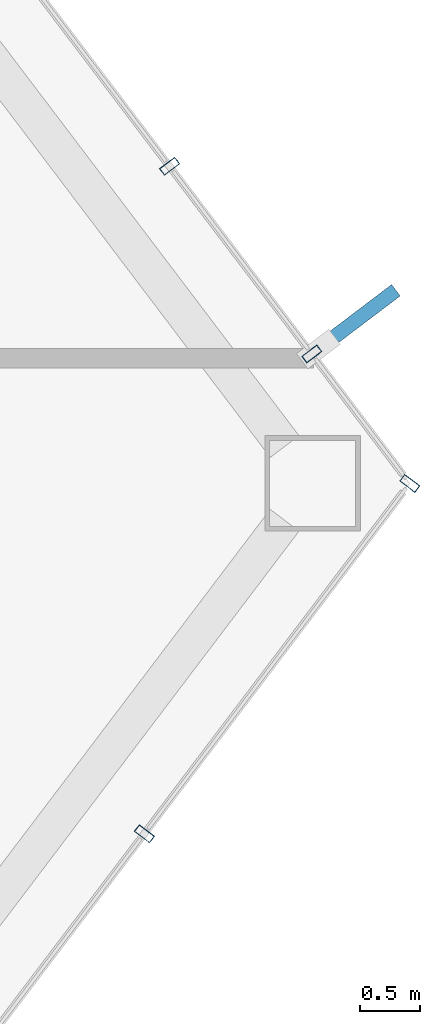
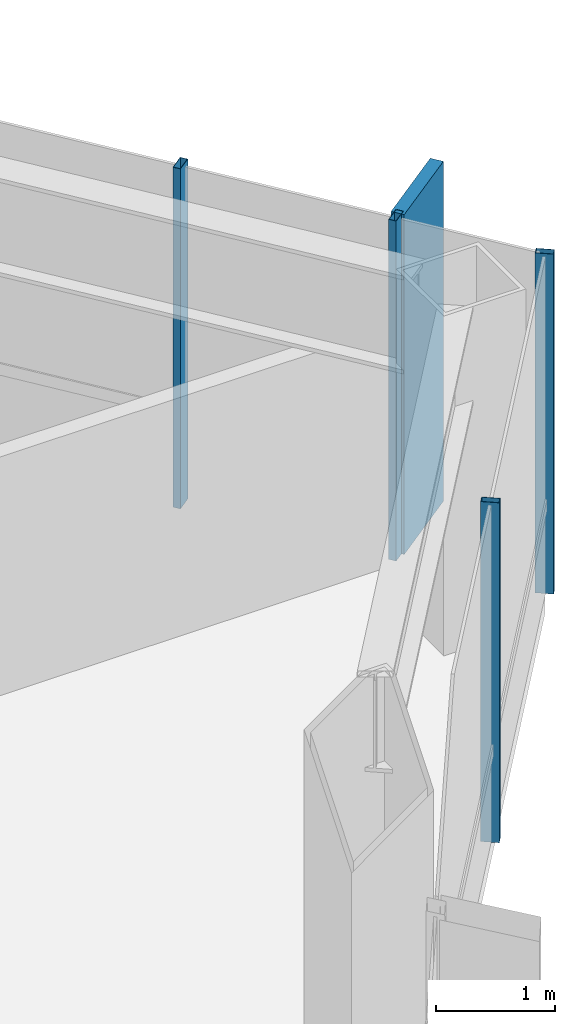
# One storey, part 21 of 28: 5 members, 2 elements without a shape of their own.
"""IFC4 building model written with IfcOpenShell, lengths in metres."""

from ifc_helpers import new_model, si_unit, direction, frame, origin, origin_2d, place, context, subcontext, project, spatial, rectangle, hollow_rectangle, extrude, material, layer, layer_set, material_profile, profile_set, type_object, element, aggregate, save


model = new_model("IFC4")

# Units and contexts
model_context = context("Model", 3, precision=1e-05, world=origin(), true_north=direction((0.0, 1.0)))
body_context = subcontext(model_context, "Body", "Model", "MODEL_VIEW")
ifc_project = project(units=[si_unit("LENGTHUNIT", "METRE"), si_unit("AREAUNIT", "SQUARE_METRE"), si_unit("VOLUMEUNIT", "CUBIC_METRE"), si_unit("PLANEANGLEUNIT", "RADIAN"), si_unit("MASSUNIT", "GRAM", prefix="KILO")], contexts=[model_context])

# Site, building, storey
site_placement = place(None, origin())
site = spatial("IfcSite", under=ifc_project, at=site_placement, CompositionType="ELEMENT")
building_placement = place(site_placement, origin())
building = spatial("IfcBuilding", under=site, at=building_placement, Name="Zarrinselat Tower", CompositionType="ELEMENT")
storey_placement = place(building_placement, frame((0.0, 0.0, 127.159912109375)))
storey = spatial("IfcBuildingStorey", under=building, at=storey_placement, Name="L30", CompositionType="ELEMENT", Elevation=127.159912109375)

# Curtain wall, members
ifc_material_1 = material(Name="Extruded Aluminium Alloy EN AW-6063 T6", Category="aluminium")
ifc_layer = layer(ifc_material_1, 0.175048828125)
ifc_layer_set = layer_set([ifc_layer], Name="Extruded Aluminium Alloy EN AW-6063 T6")
curtain_wall_type = type_object("IfcCurtainWallType", Name="CWS-HTL", PredefinedType="NOTDEFINED", material=ifc_layer_set)
curtain_wall_1_placement = place(storey_placement, origin())
curtain_wall_1 = element("IfcCurtainWall", 1, at=curtain_wall_1_placement, inside=storey, type_object=curtain_wall_type, Name="L30 Unitised Curtain Wall CW-L30-E05", PredefinedType="NOTDEFINED")
ifc_material_2 = material(Name="Extruded Aluminium Alloy EN AW-6063 T6", Category="aluminium")
ifc_material_profile_1 = material_profile(ifc_material_2, hollow_rectangle(XDim=0.070068359375, YDim=0.159912109375, WallThickness=0.00390625, at=origin_2d()), Name="RHS 160x70x4")
ifc_profile_set_1 = profile_set([ifc_material_profile_1], Name="Extruded Aluminium Alloy EN AW-6063 T6")
member_type_1 = type_object("IfcMemberType", Name="MEM-CW-MUL2", PredefinedType="MULLION", material=ifc_profile_set_1)
member_1_placement = place(storey_placement, frame((60.570556640625, 35.69189453125, 0.0), z_axis=(0.0, 0.0, 1.0), x_axis=(0.603858135777, 0.797091808926, 0.0)))
member_1 = element("IfcMember", 2, at=member_1_placement, type_object=member_type_1, Name="CW-L30-E05 Mullion 6", PredefinedType="MULLION", context=body_context, shape_type="SweptSolid", body=[
    extrude(hollow_rectangle(XDim=0.070068359375, YDim=0.159912109375, WallThickness=0.00390625, at=origin_2d()), origin(), (0.0, 0.0, 1.0), 3.5),
])
member_2_placement = place(storey_placement, frame((62.796142578125, 38.62939453125, 0.0), z_axis=(0.0, 0.0, 1.0), x_axis=(0.603858135777, 0.797091808926, 0.0)))
member_2 = element("IfcMember", 3, at=member_2_placement, type_object=member_type_1, Name="CW-L30-E05 Mullion 7", PredefinedType="MULLION", context=body_context, shape_type="SweptSolid", body=[
    extrude(hollow_rectangle(XDim=0.070068359375, YDim=0.159912109375, WallThickness=0.00390625, at=origin_2d()), origin(), (0.0, 0.0, 1.0), 3.5),
])
aggregate(curtain_wall_1, [member_1, member_2])

curtain_wall_2_placement = place(storey_placement, origin())
curtain_wall_2 = element("IfcCurtainWall", 4, at=curtain_wall_2_placement, inside=storey, type_object=curtain_wall_type, Name="L30 Unitised Curtain Wall CW-L30-E06", PredefinedType="NOTDEFINED")
member_3_placement = place(storey_placement, frame((61.97412109375, 39.714599609375, 0.0), z_axis=(0.0, 0.0, 1.0), x_axis=(-0.603858409354, 0.79709160167, 0.0)))
member_3 = element("IfcMember", 5, at=member_3_placement, type_object=member_type_1, Name="CW-L30-E06 Mullion 1", PredefinedType="MULLION", context=body_context, shape_type="SweptSolid", body=[
    extrude(hollow_rectangle(XDim=0.070068359375, YDim=0.159912109375, WallThickness=0.00390625, at=origin_2d()), origin(), (0.0, 0.0, 1.0), 3.5),
])
member_4_placement = place(storey_placement, frame((60.781494140625, 41.288818359375, 0.0), z_axis=(0.0, 0.0, 1.0), x_axis=(-0.603858409354, 0.79709160167, 0.0)))
member_4 = element("IfcMember", 6, at=member_4_placement, type_object=member_type_1, Name="CW-L30-E06 Mullion 2", PredefinedType="MULLION", context=body_context, shape_type="SweptSolid", body=[
    extrude(hollow_rectangle(XDim=0.070068359375, YDim=0.159912109375, WallThickness=0.00390625, at=origin_2d()), origin(), (0.0, 0.0, 1.0), 3.5),
])
ifc_material_3 = material(Name="Honed Cream Travertine Stone", Category="masonry")
ifc_material_profile_2 = material_profile(ifc_material_3, rectangle(XDim=0.1201171875, YDim=0.85009765625, at=origin_2d()), Name="FIN 850x120")
ifc_profile_set_2 = profile_set([ifc_material_profile_2], Name="Honed Cream Travertine Stone")
member_type_2 = type_object("IfcMemberType", Name="MEM-STONE-FIN", PredefinedType="USERDEFINED", material=ifc_profile_set_2)
member_5_placement = place(storey_placement, frame((62.3408203125, 39.992431640625, 0.0), z_axis=(0.0, 0.0, 1.0), x_axis=(0.603858409354, -0.79709160167, 0.0)))
member_5 = element("IfcMember", 7, at=member_5_placement, type_object=member_type_2, Name="L30 Stone Shading Fin CW-L30-E06-01", ObjectType="FIN", PredefinedType="USERDEFINED", context=body_context, shape_type="SweptSolid", body=[
    extrude(rectangle(XDim=0.1201171875, YDim=0.85009765625, at=origin_2d()), origin(), (0.0, 0.0, 1.0), 3.5),
])
aggregate(curtain_wall_2, [member_3, member_5, member_4])

save(model, "model.ifc")
